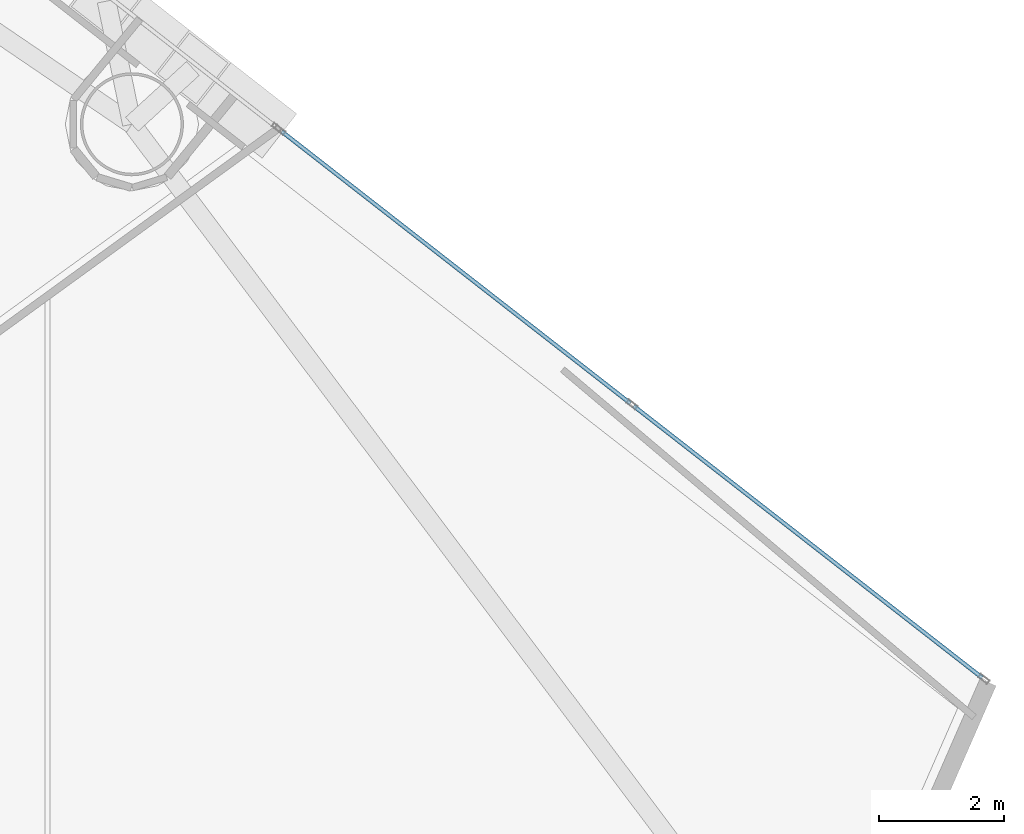
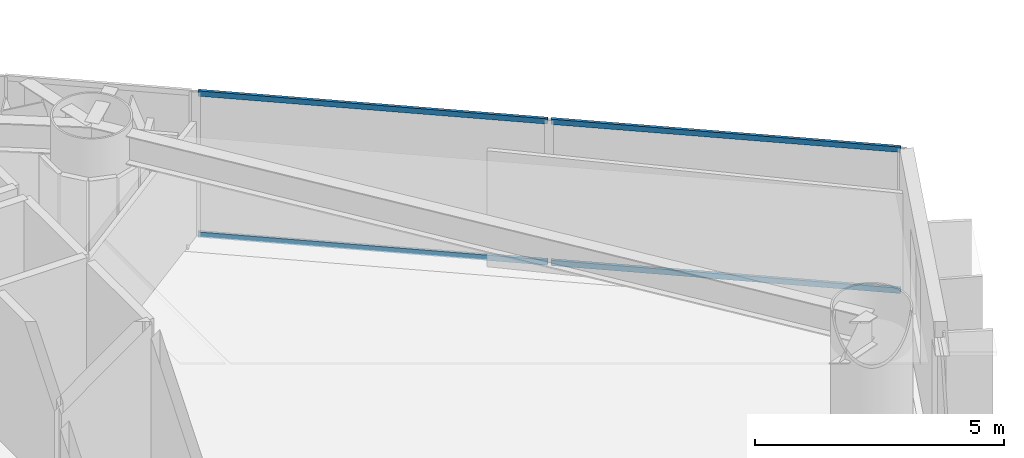
# One storey, part 14 of 23: 4 members, 1 element without a shape of its own.
"""IFC4 building model written with IfcOpenShell, lengths in metres."""

from ifc_helpers import new_model, si_unit, direction, frame, origin, origin_2d, place, context, subcontext, project, spatial, hollow_rectangle, extrude, material, layer, layer_set, material_profile, profile_set, type_object, element, aggregate, save


model = new_model("IFC4")

# Units and contexts
model_context = context("Model", 3, precision=1e-05, world=origin(), true_north=direction((0.0, 1.0)))
body_context = subcontext(model_context, "Body", "Model", "MODEL_VIEW")
ifc_project = project(units=[si_unit("LENGTHUNIT", "METRE"), si_unit("AREAUNIT", "SQUARE_METRE"), si_unit("VOLUMEUNIT", "CUBIC_METRE"), si_unit("PLANEANGLEUNIT", "RADIAN"), si_unit("MASSUNIT", "GRAM", prefix="KILO")], contexts=[model_context])

# Site, building, storey
site_placement = place(None, origin())
site = spatial("IfcSite", under=ifc_project, at=site_placement, CompositionType="ELEMENT")
building_placement = place(site_placement, origin())
building = spatial("IfcBuilding", under=site, at=building_placement, Name="Qianvela Tower", CompositionType="ELEMENT")
storey_placement = place(building_placement, frame((0.0, 0.0, 85.800048828125)))
storey = spatial("IfcBuildingStorey", under=building, at=storey_placement, Name="L21", CompositionType="ELEMENT", Elevation=85.800048828125)

# Curtain wall, members
ifc_material_1 = material(Name="Anodised Architectural Aluminium and Low-E Glass", Category="aluminium")
ifc_layer = layer(ifc_material_1, 0.179931640625)
ifc_layer_set = layer_set([ifc_layer], Name="Anodised Architectural Aluminium and Low-E Glass")
curtain_wall_type = type_object("IfcCurtainWallType", Name="CW-COLIV-Z12", PredefinedType="USERDEFINED", material=ifc_layer_set)
curtain_wall_placement = place(storey_placement, origin())
curtain_wall = element("IfcCurtainWall", 1, at=curtain_wall_placement, inside=storey, type_object=curtain_wall_type, Name="L21 CW-COLIV-Z12 Curtain Wall 02A", ObjectType="CURTAIN_WALL_SYSTEM", PredefinedType="USERDEFINED")
ifc_material_2 = material(Name="Anodised Architectural Aluminium 6063-T6", Category="aluminium")
ifc_material_profile = material_profile(ifc_material_2, hollow_rectangle(XDim=0.06494140625, YDim=0.1298828125, WallThickness=0.00439453125, at=origin_2d()), Name="ALU-TRAN-65x130")
ifc_profile_set = profile_set([ifc_material_profile], Name="Anodised Architectural Aluminium 6063-T6")
member_type = type_object("IfcMemberType", Name="CW-COLIV-Z12-TRAN", PredefinedType="USERDEFINED", material=ifc_profile_set)
member_1_placement = place(storey_placement, frame((59.5966796875, 25.19580078125, 0.032470703125), z_axis=(-0.788532092637, 0.614993608813, 0.0), x_axis=(-0.614993608813, -0.788532092637, 0.0)))
member_1 = element("IfcMember", 2, at=member_1_placement, type_object=member_type, Name="CW-3 transom 1.1", ObjectType="TRANSOM", PredefinedType="USERDEFINED", context=body_context, shape_type="SweptSolid", body=[
    extrude(hollow_rectangle(XDim=0.06494140625, YDim=0.1298828125, WallThickness=0.00439453125, at=origin_2d()), origin(), (0.0, 0.0, 1.0), 7.074951171875),
])
member_2_placement = place(storey_placement, frame((59.5966796875, 25.19580078125, 3.487548828125), z_axis=(-0.788532092637, 0.614993608813, 0.0), x_axis=(-0.614993608813, -0.788532092637, 0.0)))
member_2 = element("IfcMember", 3, at=member_2_placement, type_object=member_type, Name="CW-3 transom 1.2", ObjectType="TRANSOM", PredefinedType="USERDEFINED", context=body_context, shape_type="SweptSolid", body=[
    extrude(hollow_rectangle(XDim=0.06494140625, YDim=0.1298828125, WallThickness=0.00439453125, at=origin_2d()), origin(), (0.0, 0.0, 1.0), 7.074951171875),
])
member_3_placement = place(storey_placement, frame((53.962646484375, 29.590087890625, 0.032470703125), z_axis=(-0.788532092637, 0.614993608813, 0.0), x_axis=(-0.614993608813, -0.788532092637, 0.0)))
member_3 = element("IfcMember", 4, at=member_3_placement, type_object=member_type, Name="CW-3 transom 2.1", ObjectType="TRANSOM", PredefinedType="USERDEFINED", context=body_context, shape_type="SweptSolid", body=[
    extrude(hollow_rectangle(XDim=0.06494140625, YDim=0.1298828125, WallThickness=0.00439453125, at=origin_2d()), origin(), (0.0, 0.0, 1.0), 7.074951171875),
])
member_4_placement = place(storey_placement, frame((53.962646484375, 29.590087890625, 3.487548828125), z_axis=(-0.788532092637, 0.614993608813, 0.0), x_axis=(-0.614993608813, -0.788532092637, 0.0)))
member_4 = element("IfcMember", 5, at=member_4_placement, type_object=member_type, Name="CW-3 transom 2.2", ObjectType="TRANSOM", PredefinedType="USERDEFINED", context=body_context, shape_type="SweptSolid", body=[
    extrude(hollow_rectangle(XDim=0.06494140625, YDim=0.1298828125, WallThickness=0.00439453125, at=origin_2d()), origin(), (0.0, 0.0, 1.0), 7.074951171875),
])
aggregate(curtain_wall, [member_1, member_2, member_3, member_4])

save(model, "model.ifc")
